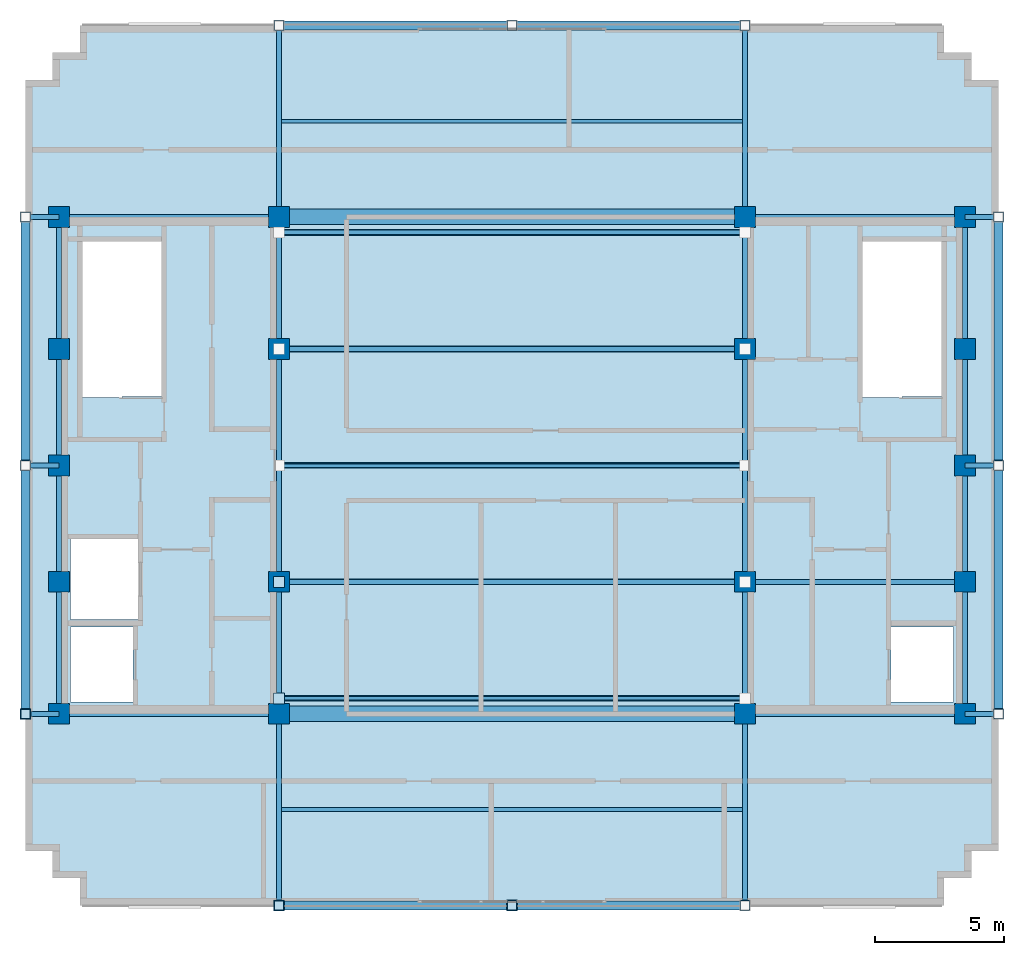
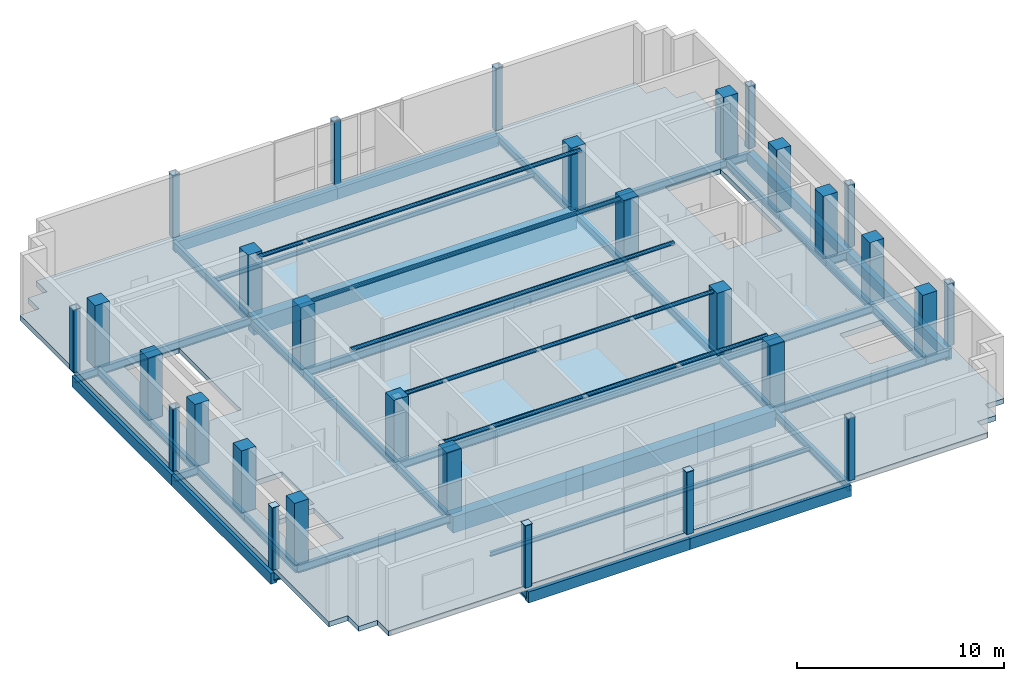
# One storey, part 1 of 7: 43 beams, 30 columns, 5 members, 5 plates, 1 slab.
"""IFC4 building model written with IfcOpenShell, lengths in metres."""

from ifc_helpers import new_model, si_unit, direction, frame, origin, origin_2d, place, context, subcontext, project, spatial, polyline, rectangle, hollow_rectangle, hollow_circle, i_section, outline, extrude, source, transform, mapped, material, layer, layer_set, material_profile, profile_set, type_object, type_shapes, element, save


model = new_model("IFC4")

# Units and contexts
model_context = context("Model", 3, precision=1e-05, world=origin(), true_north=direction((0.0, 1.0)))
body_context = subcontext(model_context, "Body", "Model", "MODEL_VIEW")
ifc_project = project(units=[si_unit("LENGTHUNIT", "METRE"), si_unit("AREAUNIT", "SQUARE_METRE"), si_unit("VOLUMEUNIT", "CUBIC_METRE"), si_unit("PLANEANGLEUNIT", "RADIAN"), si_unit("MASSUNIT", "GRAM", prefix="KILO")], contexts=[model_context])

# Site, building, storey
site_placement = place(None, origin())
site = spatial("IfcSite", under=ifc_project, at=site_placement, CompositionType="ELEMENT")
building_placement = place(site_placement, origin())
building = spatial("IfcBuilding", under=site, at=building_placement, Name="Nuvemarco Arch Tower", CompositionType="ELEMENT")
storey_placement = place(building_placement, frame((0.0, 0.0, 307.14990234375)))
storey = spatial("IfcBuildingStorey", under=building, at=storey_placement, Name="L81", CompositionType="ELEMENT", Elevation=307.14990234375)

# Columns
ifc_material_1 = material(Name="Concrete C50/60", Category="concrete")
ifc_material_profile_1 = material_profile(ifc_material_1, rectangle(XDim=0.800048828125, YDim=0.800048828125, at=origin_2d()), Name="RC-COL-800x800")
ifc_profile_set_1 = profile_set([ifc_material_profile_1], Name="Concrete C50/60")
column_type_1 = type_object("IfcColumnType", Name="COL-CORE-800", PredefinedType="COLUMN", material=ifc_profile_set_1)
for number, where, z_axis, x_axis, name in (
    (1, (-17.5, -9.60009765625, 0.0), (0.0, 0.0, 1.0), (1.0, 0.0, 0.0), "L81 column CC_-17.5_-9.6"),
    (2, (-17.5, -4.5, 0.0), (0.0, 0.0, 1.0), (1.0, 0.0, 0.0), "L81 column CC_-17.5_-4.5"),
    (3, (-17.5, 4.5, 0.0), (0.0, 0.0, 1.0), (1.0, 0.0, 0.0), "L81 column CC_-17.5_+4.5"),
    (4, (-17.5, 9.60009765625, 0.0), (0.0, 0.0, 1.0), (1.0, 0.0, 0.0), "L81 column CC_-17.5_+9.6"),
    (5, (-9.0, -9.60009765625, 0.0), (0.0, 0.0, 1.0), (1.0, 0.0, 0.0), "L81 column CC_-9.0_-9.6"),
    (6, (-9.0, -4.5, 0.0), (0.0, 0.0, 1.0), (1.0, 0.0, 0.0), "L81 column CC_-9.0_-4.5"),
    (7, (-9.0, 4.5, 0.0), (0.0, 0.0, 1.0), (1.0, 0.0, 0.0), "L81 column CC_-9.0_+4.5"),
    (8, (-9.0, 9.60009765625, 0.0), (0.0, 0.0, 1.0), (1.0, 0.0, 0.0), "L81 column CC_-9.0_+9.6"),
    (9, (9.0, -9.60009765625, 0.0), (0.0, 0.0, 1.0), (1.0, 0.0, 0.0), "L81 column CC_+9.0_-9.6"),
    (10, (9.0, -4.5, 0.0), (0.0, 0.0, 1.0), (1.0, 0.0, 0.0), "L81 column CC_+9.0_-4.5"),
    (11, (9.0, 4.5, 0.0), (0.0, 0.0, 1.0), (1.0, 0.0, 0.0), "L81 column CC_+9.0_+4.5"),
    (12, (9.0, 9.60009765625, 0.0), (0.0, 0.0, 1.0), (1.0, 0.0, 0.0), "L81 column CC_+9.0_+9.6"),
    (13, (17.5, -9.60009765625, 0.0), (0.0, 0.0, 1.0), (1.0, 0.0, 0.0), "L81 column CC_+17.5_-9.6"),
    (14, (17.5, -4.5, 0.0), (0.0, 0.0, 1.0), (1.0, 0.0, 0.0), "L81 column CC_+17.5_-4.5"),
    (15, (17.5, 4.5, 0.0), (0.0, 0.0, 1.0), (1.0, 0.0, 0.0), "L81 column CC_+17.5_+4.5"),
    (16, (17.5, 9.60009765625, 0.0), (0.0, 0.0, 1.0), (1.0, 0.0, 0.0), "L81 column CC_+17.5_+9.6"),
    (17, (-17.5, 0.0, 0.0), (0.0, 0.0, 1.0), (1.0, 0.0, 0.0), "L81 column CC_-17.5_+0.0"),
    (18, (17.5, 0.0, 0.0), (0.0, 0.0, 1.0), (1.0, 0.0, 0.0), "L81 column CC_+17.5_+0.0"),
):
    element("IfcColumn", number, at=place(storey_placement, frame(where, z_axis=z_axis, x_axis=x_axis)), inside=storey, type_object=column_type_1, Name=name, PredefinedType="COLUMN", context=body_context, shape_type="SweptSolid", body=[
        extrude(rectangle(XDim=0.800048828125, YDim=0.800048828125, at=origin_2d()), origin(), (0.0, 0.0, 1.0), 3.68017578125),
    ])
ifc_material_2 = material(Name="Steel S355", Category="steel")
ifc_material_profile_2 = material_profile(ifc_material_2, hollow_rectangle(XDim=0.39990234375, YDim=0.39990234375, WallThickness=0.02490234375, InnerFilletRadius=0.02490234375, OuterFilletRadius=0.050048828125, at=origin_2d()), Name="SHS400x400x25")
ifc_profile_set_2 = profile_set([ifc_material_profile_2], Name="Steel S355")
column_type_2 = type_object("IfcColumnType", Name="COL-EXO-400", PredefinedType="COLUMN", material=ifc_profile_set_2)
for number, where, z_axis, x_axis, name in (
    (19, (-18.800048828125, -9.60009765625, 0.0), (0.0, 0.0, 1.0), (1.0, 0.0, 0.0), "L81 column CX_-18.8_-9.6"),
    (20, (-18.800048828125, 0.0, 0.0), (0.0, 0.0, 1.0), (1.0, 0.0, 0.0), "L81 column CX_-18.8_+0.0"),
    (21, (-18.800048828125, 9.60009765625, 0.0), (0.0, 0.0, 1.0), (1.0, 0.0, 0.0), "L81 column CX_-18.8_+9.6"),
    (22, (18.800048828125, -9.60009765625, 0.0), (0.0, 0.0, 1.0), (1.0, 0.0, 0.0), "L81 column CX_+18.8_-9.6"),
    (23, (18.800048828125, 0.0, 0.0), (0.0, 0.0, 1.0), (1.0, 0.0, 0.0), "L81 column CX_+18.8_+0.0"),
    (24, (18.800048828125, 9.60009765625, 0.0), (0.0, 0.0, 1.0), (1.0, 0.0, 0.0), "L81 column CX_+18.8_+9.6"),
    (25, (-9.0, -17.0, 0.0), (0.0, 0.0, 1.0), (1.0, 0.0, 0.0), "L81 column CY_-9.0_-17.0"),
    (26, (0.0, -17.0, 0.0), (0.0, 0.0, 1.0), (1.0, 0.0, 0.0), "L81 column CY_+0.0_-17.0"),
    (27, (9.0, -17.0, 0.0), (0.0, 0.0, 1.0), (1.0, 0.0, 0.0), "L81 column CY_+9.0_-17.0"),
    (28, (-9.0, 17.0, 0.0), (0.0, 0.0, 1.0), (1.0, 0.0, 0.0), "L81 column CY_-9.0_+17.0"),
    (29, (0.0, 17.0, 0.0), (0.0, 0.0, 1.0), (1.0, 0.0, 0.0), "L81 column CY_+0.0_+17.0"),
    (30, (9.0, 17.0, 0.0), (0.0, 0.0, 1.0), (1.0, 0.0, 0.0), "L81 column CY_+9.0_+17.0"),
):
    element("IfcColumn", number, at=place(storey_placement, frame(where, z_axis=z_axis, x_axis=x_axis)), inside=storey, type_object=column_type_2, Name=name, PredefinedType="COLUMN", context=body_context, shape_type="SweptSolid", body=[
        extrude(hollow_rectangle(XDim=0.39990234375, YDim=0.39990234375, WallThickness=0.02490234375, InnerFilletRadius=0.02490234375, OuterFilletRadius=0.050048828125, at=origin_2d()), origin(), (0.0, 0.0, 1.0), 3.68017578125),
    ])

# Beams
ifc_material_3 = material(Name="Concrete C60/75", Category="concrete")
ifc_material_profile_3 = material_profile(ifc_material_3, rectangle(XDim=0.60009765625, YDim=0.949951171875, at=origin_2d()), Name="RC-BM-600x950")
ifc_profile_set_3 = profile_set([ifc_material_profile_3], Name="Concrete C60/75")
beam_type_1 = type_object("IfcBeamType", Name="BM-COUP-RC", PredefinedType="LINTEL", material=ifc_profile_set_3)
for number, where, z_axis, x_axis, name in (
    (31, (-9.0, -9.60009765625, -0.77490234375), (1.0, 0.0, 0.0), (0.0, 1.0, 0.0), "L81 structural beam BGEW_L81_0_-9.6_-9.0"),
    (32, (-9.0, 9.60009765625, -0.77490234375), (1.0, 0.0, 0.0), (0.0, 1.0, 0.0), "L81 structural beam BGEW_L81_0_+9.6_-9.0"),
):
    element("IfcBeam", number, at=place(storey_placement, frame(where, z_axis=z_axis, x_axis=x_axis)), inside=storey, type_object=beam_type_1, Name=name, PredefinedType="LINTEL", context=body_context, shape_type="SweptSolid", body=[
        extrude(rectangle(XDim=0.60009765625, YDim=0.949951171875, at=origin_2d()), origin(), (0.0, 0.0, 1.0), 18.0),
    ])
ifc_material_profile_4 = material_profile(ifc_material_2, i_section(OverallWidth=0.19189453125, OverallDepth=0.462890625, WebThickness=0.010498046875, FlangeThickness=0.017578125, FilletRadius=0.014892578125, at=origin_2d()), Name="W460x89")
ifc_profile_set_4 = profile_set([ifc_material_profile_4], Name="Steel S355")
beam_type_2 = type_object("IfcBeamType", Name="BM-GIRD-460", PredefinedType="BEAM", material=ifc_profile_set_4)
beam_1_placement = place(storey_placement, frame((-17.5, -9.60009765625, -0.531494140625), z_axis=(0.0, 1.0, 0.0), x_axis=(-1.0, 0.0, 0.0)))
element("IfcBeam", 33, at=beam_1_placement, inside=storey, type_object=beam_type_2, Name="L81 structural beam BGNS_L81_0_-17.5_-9.6", PredefinedType="BEAM", context=body_context, shape_type="SweptSolid", body=[
    extrude(i_section(OverallWidth=0.19189453125, OverallDepth=0.462890625, WebThickness=0.010498046875, FlangeThickness=0.017578125, FilletRadius=0.014892578125, at=origin_2d()), origin(), (0.0, 0.0, 1.0), 5.10009765625),
])
for number, where, z_axis, x_axis, name in (
    (34, (-17.5, -4.5, -0.531494140625), (0.0, 1.0, 0.0), (-1.0, 0.0, 0.0), "L81 structural beam BGNS_L81_0_-17.5_-4.5"),
    (35, (-17.5, 0.0, -0.531494140625), (0.0, 1.0, 0.0), (-1.0, 0.0, 0.0), "L81 structural beam BGNS_L81_0_-17.5_+0.0"),
):
    element("IfcBeam", number, at=place(storey_placement, frame(where, z_axis=z_axis, x_axis=x_axis)), inside=storey, type_object=beam_type_2, Name=name, PredefinedType="BEAM", context=body_context, shape_type="SweptSolid", body=[
        extrude(i_section(OverallWidth=0.19189453125, OverallDepth=0.462890625, WebThickness=0.010498046875, FlangeThickness=0.017578125, FilletRadius=0.014892578125, at=origin_2d()), origin(), (0.0, 0.0, 1.0), 4.5),
    ])
beam_2_placement = place(storey_placement, frame((-17.5, 4.5, -0.531494140625), z_axis=(0.0, 1.0, 0.0), x_axis=(-1.0, 0.0, 0.0)))
element("IfcBeam", 36, at=beam_2_placement, inside=storey, type_object=beam_type_2, Name="L81 structural beam BGNS_L81_0_-17.5_+4.5", PredefinedType="BEAM", context=body_context, shape_type="SweptSolid", body=[
    extrude(i_section(OverallWidth=0.19189453125, OverallDepth=0.462890625, WebThickness=0.010498046875, FlangeThickness=0.017578125, FilletRadius=0.014892578125, at=origin_2d()), origin(), (0.0, 0.0, 1.0), 5.10009765625),
])
beam_3_placement = place(storey_placement, frame((-9.0, -17.0, -0.531494140625), z_axis=(0.0, 1.0, 0.0), x_axis=(-1.0, 0.0, 0.0)))
element("IfcBeam", 37, at=beam_3_placement, inside=storey, type_object=beam_type_2, Name="L81 structural beam BGNS_L81_0_-9.0_-17.0", PredefinedType="BEAM", context=body_context, shape_type="SweptSolid", body=[
    extrude(i_section(OverallWidth=0.19189453125, OverallDepth=0.462890625, WebThickness=0.010498046875, FlangeThickness=0.017578125, FilletRadius=0.014892578125, at=origin_2d()), origin(), (0.0, 0.0, 1.0), 7.39990234375),
])
beam_4_placement = place(storey_placement, frame((-9.0, -9.60009765625, -0.531494140625), z_axis=(0.0, 1.0, 0.0), x_axis=(-1.0, 0.0, 0.0)))
element("IfcBeam", 38, at=beam_4_placement, inside=storey, type_object=beam_type_2, Name="L81 structural beam BGNS_L81_0_-9.0_-9.6", PredefinedType="BEAM", context=body_context, shape_type="SweptSolid", body=[
    extrude(i_section(OverallWidth=0.19189453125, OverallDepth=0.462890625, WebThickness=0.010498046875, FlangeThickness=0.017578125, FilletRadius=0.014892578125, at=origin_2d()), origin(), (0.0, 0.0, 1.0), 5.10009765625),
])
beam_5_placement = place(storey_placement, frame((-9.0, -4.5, -0.531494140625), z_axis=(0.0, 1.0, 0.0), x_axis=(-1.0, 0.0, 0.0)))
element("IfcBeam", 39, at=beam_5_placement, inside=storey, type_object=beam_type_2, Name="L81 structural beam BGNS_L81_0_-9.0_-4.5", PredefinedType="BEAM", context=body_context, shape_type="SweptSolid", body=[
    extrude(i_section(OverallWidth=0.19189453125, OverallDepth=0.462890625, WebThickness=0.010498046875, FlangeThickness=0.017578125, FilletRadius=0.014892578125, at=origin_2d()), origin(), (0.0, 0.0, 1.0), 9.0),
])
beam_6_placement = place(storey_placement, frame((-9.0, 4.5, -0.531494140625), z_axis=(0.0, 1.0, 0.0), x_axis=(-1.0, 0.0, 0.0)))
element("IfcBeam", 40, at=beam_6_placement, inside=storey, type_object=beam_type_2, Name="L81 structural beam BGNS_L81_0_-9.0_+4.5", PredefinedType="BEAM", context=body_context, shape_type="SweptSolid", body=[
    extrude(i_section(OverallWidth=0.19189453125, OverallDepth=0.462890625, WebThickness=0.010498046875, FlangeThickness=0.017578125, FilletRadius=0.014892578125, at=origin_2d()), origin(), (0.0, 0.0, 1.0), 5.10009765625),
])
for number, where, z_axis, x_axis, name in (
    (41, (-9.0, 9.60009765625, -0.531494140625), (0.0, 1.0, 0.0), (-1.0, 0.0, 0.0), "L81 structural beam BGNS_L81_0_-9.0_+9.6"),
    (42, (9.0, -17.0, -0.531494140625), (0.0, 1.0, 0.0), (-1.0, 0.0, 0.0), "L81 structural beam BGNS_L81_0_+9.0_-17.0"),
):
    element("IfcBeam", number, at=place(storey_placement, frame(where, z_axis=z_axis, x_axis=x_axis)), inside=storey, type_object=beam_type_2, Name=name, PredefinedType="BEAM", context=body_context, shape_type="SweptSolid", body=[
        extrude(i_section(OverallWidth=0.19189453125, OverallDepth=0.462890625, WebThickness=0.010498046875, FlangeThickness=0.017578125, FilletRadius=0.014892578125, at=origin_2d()), origin(), (0.0, 0.0, 1.0), 7.39990234375),
    ])
beam_7_placement = place(storey_placement, frame((9.0, -9.60009765625, -0.531494140625), z_axis=(0.0, 1.0, 0.0), x_axis=(-1.0, 0.0, 0.0)))
element("IfcBeam", 43, at=beam_7_placement, inside=storey, type_object=beam_type_2, Name="L81 structural beam BGNS_L81_0_+9.0_-9.6", PredefinedType="BEAM", context=body_context, shape_type="SweptSolid", body=[
    extrude(i_section(OverallWidth=0.19189453125, OverallDepth=0.462890625, WebThickness=0.010498046875, FlangeThickness=0.017578125, FilletRadius=0.014892578125, at=origin_2d()), origin(), (0.0, 0.0, 1.0), 5.10009765625),
])
beam_8_placement = place(storey_placement, frame((9.0, -4.5, -0.531494140625), z_axis=(0.0, 1.0, 0.0), x_axis=(-1.0, 0.0, 0.0)))
element("IfcBeam", 44, at=beam_8_placement, inside=storey, type_object=beam_type_2, Name="L81 structural beam BGNS_L81_0_+9.0_-4.5", PredefinedType="BEAM", context=body_context, shape_type="SweptSolid", body=[
    extrude(i_section(OverallWidth=0.19189453125, OverallDepth=0.462890625, WebThickness=0.010498046875, FlangeThickness=0.017578125, FilletRadius=0.014892578125, at=origin_2d()), origin(), (0.0, 0.0, 1.0), 9.0),
])
beam_9_placement = place(storey_placement, frame((9.0, 4.5, -0.531494140625), z_axis=(0.0, 1.0, 0.0), x_axis=(-1.0, 0.0, 0.0)))
element("IfcBeam", 45, at=beam_9_placement, inside=storey, type_object=beam_type_2, Name="L81 structural beam BGNS_L81_0_+9.0_+4.5", PredefinedType="BEAM", context=body_context, shape_type="SweptSolid", body=[
    extrude(i_section(OverallWidth=0.19189453125, OverallDepth=0.462890625, WebThickness=0.010498046875, FlangeThickness=0.017578125, FilletRadius=0.014892578125, at=origin_2d()), origin(), (0.0, 0.0, 1.0), 5.10009765625),
])
beam_10_placement = place(storey_placement, frame((9.0, 9.60009765625, -0.531494140625), z_axis=(0.0, 1.0, 0.0), x_axis=(-1.0, 0.0, 0.0)))
element("IfcBeam", 46, at=beam_10_placement, inside=storey, type_object=beam_type_2, Name="L81 structural beam BGNS_L81_0_+9.0_+9.6", PredefinedType="BEAM", context=body_context, shape_type="SweptSolid", body=[
    extrude(i_section(OverallWidth=0.19189453125, OverallDepth=0.462890625, WebThickness=0.010498046875, FlangeThickness=0.017578125, FilletRadius=0.014892578125, at=origin_2d()), origin(), (0.0, 0.0, 1.0), 7.39990234375),
])
beam_11_placement = place(storey_placement, frame((17.5, -9.60009765625, -0.531494140625), z_axis=(0.0, 1.0, 0.0), x_axis=(-1.0, 0.0, 0.0)))
element("IfcBeam", 47, at=beam_11_placement, inside=storey, type_object=beam_type_2, Name="L81 structural beam BGNS_L81_0_+17.5_-9.6", PredefinedType="BEAM", context=body_context, shape_type="SweptSolid", body=[
    extrude(i_section(OverallWidth=0.19189453125, OverallDepth=0.462890625, WebThickness=0.010498046875, FlangeThickness=0.017578125, FilletRadius=0.014892578125, at=origin_2d()), origin(), (0.0, 0.0, 1.0), 5.10009765625),
])
for number, where, z_axis, x_axis, name in (
    (48, (17.5, -4.5, -0.531494140625), (0.0, 1.0, 0.0), (-1.0, 0.0, 0.0), "L81 structural beam BGNS_L81_0_+17.5_-4.5"),
    (49, (17.5, 0.0, -0.531494140625), (0.0, 1.0, 0.0), (-1.0, 0.0, 0.0), "L81 structural beam BGNS_L81_0_+17.5_+0.0"),
):
    element("IfcBeam", number, at=place(storey_placement, frame(where, z_axis=z_axis, x_axis=x_axis)), inside=storey, type_object=beam_type_2, Name=name, PredefinedType="BEAM", context=body_context, shape_type="SweptSolid", body=[
        extrude(i_section(OverallWidth=0.19189453125, OverallDepth=0.462890625, WebThickness=0.010498046875, FlangeThickness=0.017578125, FilletRadius=0.014892578125, at=origin_2d()), origin(), (0.0, 0.0, 1.0), 4.5),
    ])
beam_12_placement = place(storey_placement, frame((17.5, 4.5, -0.531494140625), z_axis=(0.0, 1.0, 0.0), x_axis=(-1.0, 0.0, 0.0)))
element("IfcBeam", 50, at=beam_12_placement, inside=storey, type_object=beam_type_2, Name="L81 structural beam BGNS_L81_0_+17.5_+4.5", PredefinedType="BEAM", context=body_context, shape_type="SweptSolid", body=[
    extrude(i_section(OverallWidth=0.19189453125, OverallDepth=0.462890625, WebThickness=0.010498046875, FlangeThickness=0.017578125, FilletRadius=0.014892578125, at=origin_2d()), origin(), (0.0, 0.0, 1.0), 5.10009765625),
])
beam_13_placement = place(storey_placement, frame((-18.800048828125, -9.60009765625, -0.531494140625), z_axis=(1.0, 0.0, 0.0), x_axis=(0.0, 1.0, 0.0)))
element("IfcBeam", 51, at=beam_13_placement, inside=storey, type_object=beam_type_2, Name="L81 structural beam BGEW_L81_0_-9.6_-18.8", PredefinedType="BEAM", context=body_context, shape_type="SweptSolid", body=[
    extrude(i_section(OverallWidth=0.19189453125, OverallDepth=0.462890625, WebThickness=0.010498046875, FlangeThickness=0.017578125, FilletRadius=0.014892578125, at=origin_2d()), origin(), (0.0, 0.0, 1.0), 1.300048828125),
])
for number, where, z_axis, x_axis, name in (
    (52, (-17.5, -9.60009765625, -0.531494140625), (1.0, 0.0, 0.0), (0.0, 1.0, 0.0), "L81 structural beam BGEW_L81_0_-9.6_-17.5"),
    (53, (9.0, -9.60009765625, -0.531494140625), (1.0, 0.0, 0.0), (0.0, 1.0, 0.0), "L81 structural beam BGEW_L81_0_-9.6_+9.0"),
):
    element("IfcBeam", number, at=place(storey_placement, frame(where, z_axis=z_axis, x_axis=x_axis)), inside=storey, type_object=beam_type_2, Name=name, PredefinedType="BEAM", context=body_context, shape_type="SweptSolid", body=[
        extrude(i_section(OverallWidth=0.19189453125, OverallDepth=0.462890625, WebThickness=0.010498046875, FlangeThickness=0.017578125, FilletRadius=0.014892578125, at=origin_2d()), origin(), (0.0, 0.0, 1.0), 8.5),
    ])
beam_14_placement = place(storey_placement, frame((17.5, -9.60009765625, -0.531494140625), z_axis=(1.0, 0.0, 0.0), x_axis=(0.0, 1.0, 0.0)))
element("IfcBeam", 54, at=beam_14_placement, inside=storey, type_object=beam_type_2, Name="L81 structural beam BGEW_L81_0_-9.6_+17.5", PredefinedType="BEAM", context=body_context, shape_type="SweptSolid", body=[
    extrude(i_section(OverallWidth=0.19189453125, OverallDepth=0.462890625, WebThickness=0.010498046875, FlangeThickness=0.017578125, FilletRadius=0.014892578125, at=origin_2d()), origin(), (0.0, 0.0, 1.0), 1.300048828125),
])
beam_15_placement = place(storey_placement, frame((-9.0, -4.5, -0.531494140625), z_axis=(1.0, 0.0, 0.0), x_axis=(0.0, 1.0, 0.0)))
element("IfcBeam", 55, at=beam_15_placement, inside=storey, type_object=beam_type_2, Name="L81 structural beam BGEW_L81_0_-4.5_-9.0", PredefinedType="BEAM", context=body_context, shape_type="SweptSolid", body=[
    extrude(i_section(OverallWidth=0.19189453125, OverallDepth=0.462890625, WebThickness=0.010498046875, FlangeThickness=0.017578125, FilletRadius=0.014892578125, at=origin_2d()), origin(), (0.0, 0.0, 1.0), 18.0),
])
beam_16_placement = place(storey_placement, frame((9.0, -4.5, -0.531494140625), z_axis=(1.0, 0.0, 0.0), x_axis=(0.0, 1.0, 0.0)))
element("IfcBeam", 56, at=beam_16_placement, inside=storey, type_object=beam_type_2, Name="L81 structural beam BGEW_L81_0_-4.5_+9.0", PredefinedType="BEAM", context=body_context, shape_type="SweptSolid", body=[
    extrude(i_section(OverallWidth=0.19189453125, OverallDepth=0.462890625, WebThickness=0.010498046875, FlangeThickness=0.017578125, FilletRadius=0.014892578125, at=origin_2d()), origin(), (0.0, 0.0, 1.0), 8.5),
])
for number, where, z_axis, x_axis, name in (
    (57, (-18.800048828125, 0.0, -0.531494140625), (1.0, 0.0, 0.0), (0.0, 1.0, 0.0), "L81 structural beam BGEW_L81_0_+0.0_-18.8"),
    (58, (17.5, 0.0, -0.531494140625), (1.0, 0.0, 0.0), (0.0, 1.0, 0.0), "L81 structural beam BGEW_L81_0_+0.0_+17.5"),
):
    element("IfcBeam", number, at=place(storey_placement, frame(where, z_axis=z_axis, x_axis=x_axis)), inside=storey, type_object=beam_type_2, Name=name, PredefinedType="BEAM", context=body_context, shape_type="SweptSolid", body=[
        extrude(i_section(OverallWidth=0.19189453125, OverallDepth=0.462890625, WebThickness=0.010498046875, FlangeThickness=0.017578125, FilletRadius=0.014892578125, at=origin_2d()), origin(), (0.0, 0.0, 1.0), 1.300048828125),
    ])
beam_17_placement = place(storey_placement, frame((-9.0, 4.5, -0.531494140625), z_axis=(1.0, 0.0, 0.0), x_axis=(0.0, 1.0, 0.0)))
element("IfcBeam", 59, at=beam_17_placement, inside=storey, type_object=beam_type_2, Name="L81 structural beam BGEW_L81_0_+4.5_-9.0", PredefinedType="BEAM", context=body_context, shape_type="SweptSolid", body=[
    extrude(i_section(OverallWidth=0.19189453125, OverallDepth=0.462890625, WebThickness=0.010498046875, FlangeThickness=0.017578125, FilletRadius=0.014892578125, at=origin_2d()), origin(), (0.0, 0.0, 1.0), 18.0),
])
beam_18_placement = place(storey_placement, frame((-18.800048828125, 9.60009765625, -0.531494140625), z_axis=(1.0, 0.0, 0.0), x_axis=(0.0, 1.0, 0.0)))
element("IfcBeam", 60, at=beam_18_placement, inside=storey, type_object=beam_type_2, Name="L81 structural beam BGEW_L81_0_+9.6_-18.8", PredefinedType="BEAM", context=body_context, shape_type="SweptSolid", body=[
    extrude(i_section(OverallWidth=0.19189453125, OverallDepth=0.462890625, WebThickness=0.010498046875, FlangeThickness=0.017578125, FilletRadius=0.014892578125, at=origin_2d()), origin(), (0.0, 0.0, 1.0), 1.300048828125),
])
for number, where, z_axis, x_axis, name in (
    (61, (-17.5, 9.60009765625, -0.531494140625), (1.0, 0.0, 0.0), (0.0, 1.0, 0.0), "L81 structural beam BGEW_L81_0_+9.6_-17.5"),
    (62, (9.0, 9.60009765625, -0.531494140625), (1.0, 0.0, 0.0), (0.0, 1.0, 0.0), "L81 structural beam BGEW_L81_0_+9.6_+9.0"),
):
    element("IfcBeam", number, at=place(storey_placement, frame(where, z_axis=z_axis, x_axis=x_axis)), inside=storey, type_object=beam_type_2, Name=name, PredefinedType="BEAM", context=body_context, shape_type="SweptSolid", body=[
        extrude(i_section(OverallWidth=0.19189453125, OverallDepth=0.462890625, WebThickness=0.010498046875, FlangeThickness=0.017578125, FilletRadius=0.014892578125, at=origin_2d()), origin(), (0.0, 0.0, 1.0), 8.5),
    ])
beam_19_placement = place(storey_placement, frame((17.5, 9.60009765625, -0.531494140625), z_axis=(1.0, 0.0, 0.0), x_axis=(0.0, 1.0, 0.0)))
element("IfcBeam", 63, at=beam_19_placement, inside=storey, type_object=beam_type_2, Name="L81 structural beam BGEW_L81_0_+9.6_+17.5", PredefinedType="BEAM", context=body_context, shape_type="SweptSolid", body=[
    extrude(i_section(OverallWidth=0.19189453125, OverallDepth=0.462890625, WebThickness=0.010498046875, FlangeThickness=0.017578125, FilletRadius=0.014892578125, at=origin_2d()), origin(), (0.0, 0.0, 1.0), 1.300048828125),
])
ifc_material_profile_5 = material_profile(ifc_material_2, i_section(OverallWidth=0.14794921875, OverallDepth=0.26611328125, WebThickness=0.007568359375, FlangeThickness=0.012939453125, FilletRadius=0.010009765625, at=origin_2d()), Name="W250x44.8")
ifc_profile_set_5 = profile_set([ifc_material_profile_5], Name="Steel S355")
beam_type_3 = type_object("IfcBeamType", Name="BM-JOIST-250", PredefinedType="JOIST", material=ifc_profile_set_5)
for number, where, z_axis, x_axis, name in (
    (64, (-8.904052734375, -13.300048828125, -0.432861328125), (1.0, 0.0, 0.0), (0.0, 1.0, 0.0), "L81 structural beam BJ_L81_0_-13.3_-9.0"),
    (65, (-8.904052734375, 13.300048828125, -0.432861328125), (1.0, 0.0, 0.0), (0.0, 1.0, 0.0), "L81 structural beam BJ_L81_0_+13.3_-9.0"),
):
    element("IfcBeam", number, at=place(storey_placement, frame(where, z_axis=z_axis, x_axis=x_axis)), inside=storey, type_object=beam_type_3, Name=name, PredefinedType="JOIST", context=body_context, shape_type="SweptSolid", body=[
        extrude(i_section(OverallWidth=0.14794921875, OverallDepth=0.26611328125, WebThickness=0.007568359375, FlangeThickness=0.012939453125, FilletRadius=0.010009765625, at=origin_2d()), origin(), (0.0, 0.0, 1.0), 17.80810546875),
    ])
ifc_material_4 = material(Name="Precast concrete C45/55", Category="concrete")
ifc_material_profile_6 = material_profile(ifc_material_4, rectangle(XDim=0.35009765625, YDim=0.64990234375, at=origin_2d()), Name="PC-SP-350x650")
ifc_profile_set_6 = profile_set([ifc_material_profile_6], Name="Precast concrete C45/55")
beam_type_4 = type_object("IfcBeamType", Name="BM-SPAN-RC", PredefinedType="SPANDREL", material=ifc_profile_set_6)
for number, where, z_axis, x_axis, name in (
    (66, (-18.800048828125, -9.60009765625, -0.625), (0.0, 1.0, 0.0), (-1.0, 0.0, 0.0), "L81 structural beam BGNS_L81_0_-18.8_-9.6"),
    (67, (-18.800048828125, 0.0, -0.625), (0.0, 1.0, 0.0), (-1.0, 0.0, 0.0), "L81 structural beam BGNS_L81_0_-18.8_+0.0"),
    (68, (18.800048828125, -9.60009765625, -0.625), (0.0, 1.0, 0.0), (-1.0, 0.0, 0.0), "L81 structural beam BGNS_L81_0_+18.8_-9.6"),
    (69, (18.800048828125, 0.0, -0.625), (0.0, 1.0, 0.0), (-1.0, 0.0, 0.0), "L81 structural beam BGNS_L81_0_+18.8_+0.0"),
):
    element("IfcBeam", number, at=place(storey_placement, frame(where, z_axis=z_axis, x_axis=x_axis)), inside=storey, type_object=beam_type_4, Name=name, PredefinedType="SPANDREL", context=body_context, shape_type="SweptSolid", body=[
        extrude(rectangle(XDim=0.35009765625, YDim=0.64990234375, at=origin_2d()), origin(), (0.0, 0.0, 1.0), 9.60009765625),
    ])
for number, where, z_axis, x_axis, name in (
    (70, (-9.0, -17.0, -0.625), (1.0, 0.0, 0.0), (0.0, 1.0, 0.0), "L81 structural beam BGEW_L81_0_-17.0_-9.0"),
    (71, (0.0, -17.0, -0.625), (1.0, 0.0, 0.0), (0.0, 1.0, 0.0), "L81 structural beam BGEW_L81_0_-17.0_+0.0"),
    (72, (-9.0, 17.0, -0.625), (1.0, 0.0, 0.0), (0.0, 1.0, 0.0), "L81 structural beam BGEW_L81_0_+17.0_-9.0"),
    (73, (0.0, 17.0, -0.625), (1.0, 0.0, 0.0), (0.0, 1.0, 0.0), "L81 structural beam BGEW_L81_0_+17.0_+0.0"),
):
    element("IfcBeam", number, at=place(storey_placement, frame(where, z_axis=z_axis, x_axis=x_axis)), inside=storey, type_object=beam_type_4, Name=name, PredefinedType="SPANDREL", context=body_context, shape_type="SweptSolid", body=[
        extrude(rectangle(XDim=0.35009765625, YDim=0.64990234375, at=origin_2d()), origin(), (0.0, 0.0, 1.0), 9.0),
    ])

# Members
ifc_material_profile_7 = material_profile(ifc_material_2, hollow_circle(Radius=0.109619140625, WallThickness=0.012451171875, at=origin_2d()), Name="CHS219.1x12.5")
ifc_profile_set_7 = profile_set([ifc_material_profile_7], Name="Steel S355")
member_type = type_object("IfcMemberType", Name="MB-CROWN-PURLIN", PredefinedType="PURLIN", material=ifc_profile_set_7)
for number, where, z_axis, x_axis, name in (
    (74, (-9.0, -9.0, 3.570556640625), (1.0, 0.0, 0.0), (0.0, 1.0, 0.0), "L81 crown roof steel purlin -9.0"),
    (75, (-9.0, -4.5, 3.570556640625), (1.0, 0.0, 0.0), (0.0, 1.0, 0.0), "L81 crown roof steel purlin -4.5"),
    (76, (-9.0, 0.0, 3.570556640625), (1.0, 0.0, 0.0), (0.0, 1.0, 0.0), "L81 crown roof steel purlin +0.0"),
    (77, (-9.0, 4.5, 3.570556640625), (1.0, 0.0, 0.0), (0.0, 1.0, 0.0), "L81 crown roof steel purlin +4.5"),
    (78, (-9.0, 9.0, 3.570556640625), (1.0, 0.0, 0.0), (0.0, 1.0, 0.0), "L81 crown roof steel purlin +9.0"),
):
    element("IfcMember", number, at=place(storey_placement, frame(where, z_axis=z_axis, x_axis=x_axis)), inside=storey, type_object=member_type, Name=name, PredefinedType="PURLIN", context=body_context, shape_type="SweptSolid", body=[
        extrude(hollow_circle(Radius=0.109619140625, WallThickness=0.012451171875, at=origin_2d()), origin(), (0.0, 0.0, 1.0), 18.0),
    ])

# Slab
ifc_layer_1 = layer(ifc_material_1, 0.300048828125, Name="SL-FLR-300")
ifc_layer_set_1 = layer_set([ifc_layer_1], Name="Concrete C50/60")
slab_type = type_object("IfcSlabType", Name="SL-FLR-300", PredefinedType="FLOOR", material=ifc_layer_set_1)
slab_placement = place(storey_placement, frame((0.0, 0.0, -0.2998046875)))
element("IfcSlab", 79, at=slab_placement, inside=storey, type_object=slab_type, Name="L81 structural floor slab", PredefinedType="FLOOR", context=body_context, shape_type="SweptSolid", body=[
    extrude(outline(polyline([(-16.699951171875, -17.0), (16.699951171875, -17.0), (16.699951171875, -15.949951171875), (17.75, -15.949951171875), (17.75, -14.89990234375), (18.800048828125, -14.89990234375), (18.800048828125, 14.89990234375), (17.75, 14.89990234375), (17.75, 15.949951171875), (16.699951171875, 15.949951171875), (16.699951171875, 17.0), (-16.699951171875, 17.0), (-16.699951171875, 15.949951171875), (-17.75, 15.949951171875), (-17.75, 14.89990234375), (-18.800048828125, 14.89990234375), (-18.800048828125, -14.89990234375), (-17.75, -14.89990234375), (-17.75, -15.949951171875), (-16.699951171875, -15.949951171875), (-16.699951171875, -17.0)]), holes=[polyline([(-13.5400390625, 2.669921875), (-13.5400390625, 8.64990234375), (-16.60009765625, 8.64990234375), (-16.60009765625, 2.630615234375), (-15.070068359375, 2.630615234375), (-15.070068359375, 2.669921875), (-13.5400390625, 2.669921875)]), polyline([(16.60009765625, 2.669921875), (16.60009765625, 8.64990234375), (13.5400390625, 8.64990234375), (13.5400390625, 2.630615234375), (15.070068359375, 2.630615234375), (15.070068359375, 2.669921875), (16.60009765625, 2.669921875)]), polyline([(-17.050048828125, -9.14990234375), (-14.64990234375, -9.14990234375), (-14.64990234375, -6.25), (-17.050048828125, -6.25), (-17.050048828125, -9.14990234375)]), polyline([(-17.050048828125, -5.949951171875), (-14.449951171875, -5.949951171875), (-14.449951171875, -2.85009765625), (-17.050048828125, -2.85009765625), (-17.050048828125, -5.949951171875)]), polyline([(14.64990234375, -9.14990234375), (17.050048828125, -9.14990234375), (17.050048828125, -6.25), (14.64990234375, -6.25), (14.64990234375, -9.14990234375)])]), origin(), (0.0, 0.0, 1.0), 0.2998046875),
])

# Plates
ifc_layer_2 = layer(ifc_material_2, 0.030029296875, Name="PL-CAP-400-EXT")
ifc_layer_set_2 = layer_set([ifc_layer_2], Name="Steel S355")
plate_type_1 = type_object("IfcPlateType", Name="PL-CAP-400-EXT", PredefinedType="SHEET", material=ifc_layer_set_2)
shared_shape_1 = source(origin(), body_context, "Body", "SweptSolid", [
    extrude(rectangle(XDim=0.419921875, YDim=0.419921875, at=origin_2d()), origin(), (0.0, 0.0, 1.0), 0.030029296875),
])
type_shapes(plate_type_1, [shared_shape_1])
for number, where, z_axis, x_axis, name in (
    (80, (-18.800048828125, -9.60009765625, 3.6650390625), (0.0, 0.0, 1.0), (1.0, 0.0, 0.0), "Hollow steel end-cap plate COL-L81-CX_-18.8_-9.6_TOP"),
    (81, (-9.0, -17.0, 3.6650390625), (0.0, 0.0, 1.0), (1.0, 0.0, 0.0), "Hollow steel end-cap plate COL-L81-CY_-9.0_-17.0_TOP"),
    (82, (0.0, -17.0, 3.6650390625), (0.0, 0.0, 1.0), (1.0, 0.0, 0.0), "Hollow steel end-cap plate COL-L81-CY_+0.0_-17.0_TOP"),
):
    element("IfcPlate", number, at=place(storey_placement, frame(where, z_axis=z_axis, x_axis=x_axis)), inside=storey, type_object=plate_type_1, Name=name, PredefinedType="SHEET", context=body_context, shape_type="MappedRepresentation", body=[
        mapped(shared_shape_1, transform((0.0, 0.0, 0.0), scale=1.0)),
    ])
ifc_layer_3 = layer(ifc_material_2, 0.030029296875, Name="PL-CAP-400")
ifc_layer_set_3 = layer_set([ifc_layer_3], Name="Steel S355")
plate_type_2 = type_object("IfcPlateType", Name="PL-CAP-400", PredefinedType="SHEET", material=ifc_layer_set_3)
shared_shape_2 = source(origin(), body_context, "Body", "SweptSolid", [
    extrude(rectangle(XDim=0.419921875, YDim=0.419921875, at=origin_2d()), origin(), (0.0, 0.0, 1.0), 0.030029296875),
])
type_shapes(plate_type_2, [shared_shape_2])
for number, where, z_axis, x_axis, name in (
    (83, (-9.0, -9.0, 3.5556640625), (0.0, 0.0, 1.0), (1.0, 0.0, 0.0), "Hollow steel end-cap plate CRN_PR_-9.0_C0"),
    (84, (-9.0, -4.5, 3.5556640625), (0.0, 0.0, 1.0), (1.0, 0.0, 0.0), "Hollow steel end-cap plate CRN_PR_-4.5_C0"),
):
    element("IfcPlate", number, at=place(storey_placement, frame(where, z_axis=z_axis, x_axis=x_axis)), inside=storey, type_object=plate_type_2, Name=name, PredefinedType="SHEET", context=body_context, shape_type="MappedRepresentation", body=[
        mapped(shared_shape_2, transform((0.0, 0.0, 0.0), scale=1.0)),
    ])

save(model, "model.ifc")
